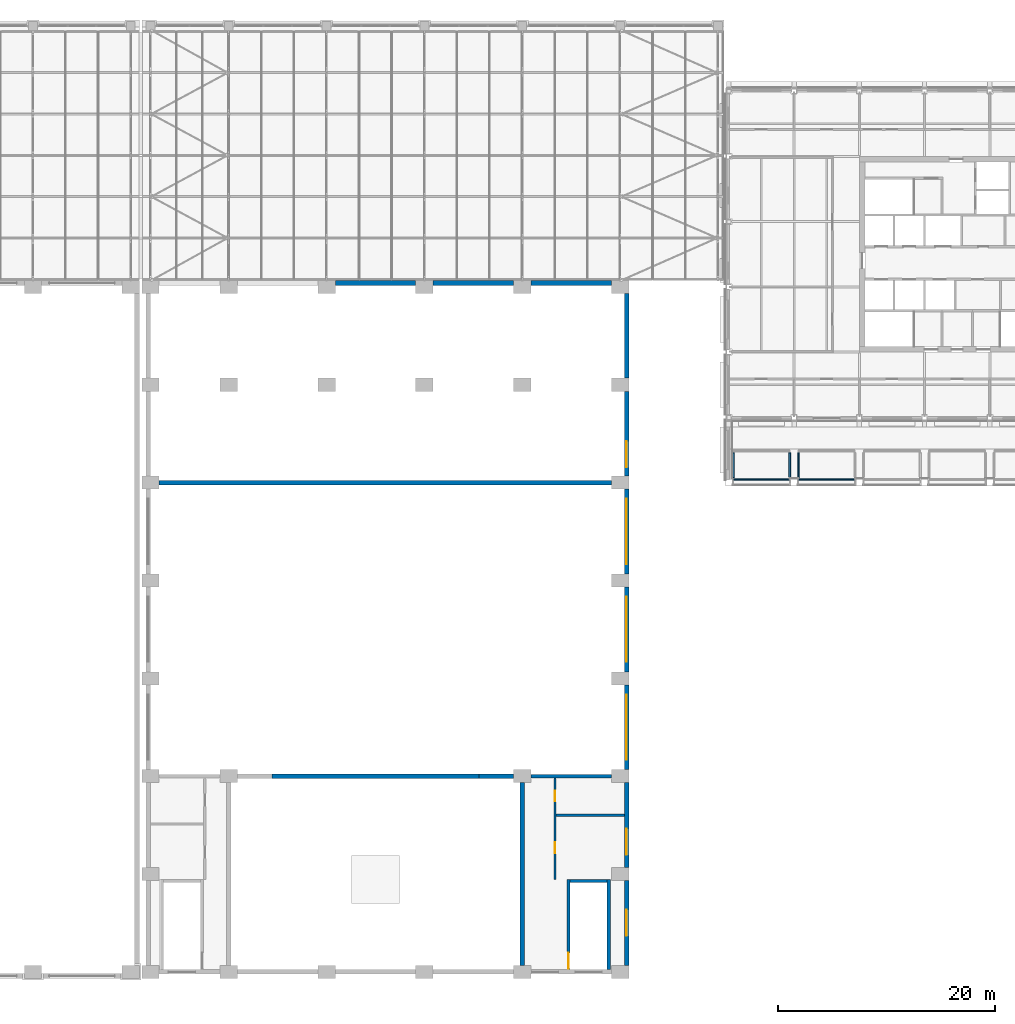
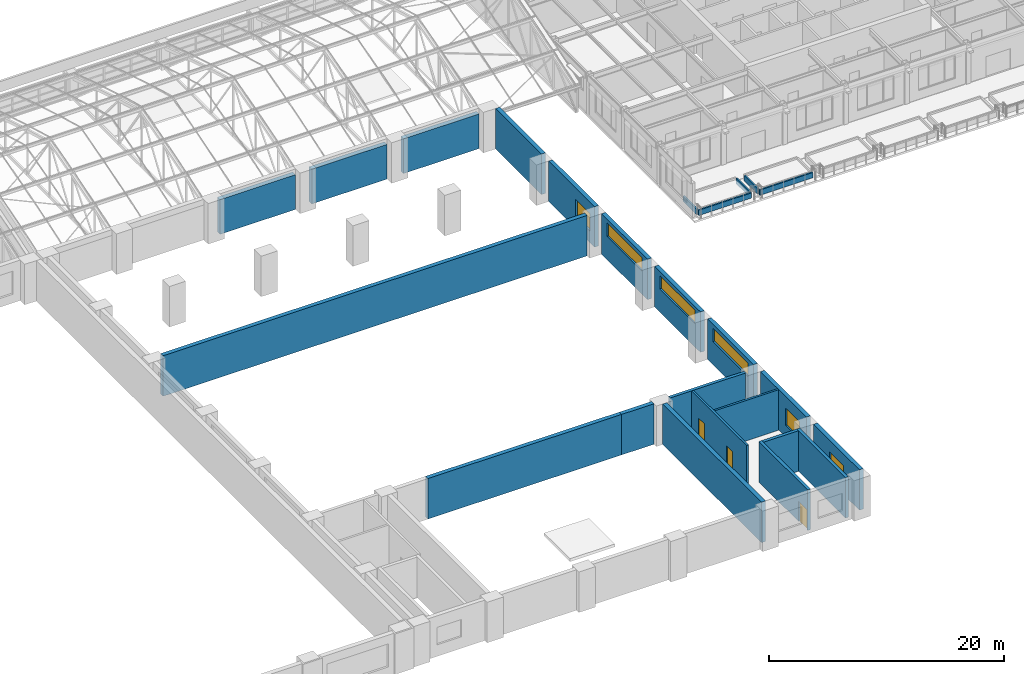
# One storey, part 57 of 82: 25 walls, 6 windows, 3 doors, 9 openings.
"""IFC4 building model written with IfcOpenShell, lengths in metres."""

from ifc_helpers import new_model, si_unit, direction, frame, frame_2d, origin, place, context, subcontext, project, spatial, rectangle, extrude, material, layer, layer_set, type_object, element, fill, save


model = new_model("IFC4")

# Units and contexts
model_context = context("Model", 3, precision=1e-05, world=origin(), true_north=direction((0.0, 1.0)))
body_context = subcontext(model_context, "Body", "Model", "MODEL_VIEW")
ifc_project = project(units=[si_unit("LENGTHUNIT", "METRE"), si_unit("AREAUNIT", "SQUARE_METRE"), si_unit("VOLUMEUNIT", "CUBIC_METRE"), si_unit("PLANEANGLEUNIT", "RADIAN"), si_unit("MASSUNIT", "GRAM", prefix="KILO")], contexts=[model_context])

# Site, building, storey
site_placement = place(None, origin())
site = spatial("IfcSite", under=ifc_project, at=site_placement, CompositionType="ELEMENT")
building_placement = place(site_placement, origin())
building = spatial("IfcBuilding", under=site, at=building_placement, Name="Aravalli Gate Trade Fair Centre", CompositionType="ELEMENT")
storey_placement = place(building_placement, frame((0.0, 0.0, 19.199951171875)))
storey = spatial("IfcBuildingStorey", under=building, at=storey_placement, Name="L04", CompositionType="ELEMENT", Elevation=19.199951171875)

# Wall
ifc_material_1 = material(Name="Concrete M40", Category="concrete")
ifc_layer_1 = layer(ifc_material_1, 0.300048828125)
ifc_layer_set_1 = layer_set([ifc_layer_1], Name="Concrete M40")
wall_type_1 = type_object("IfcWallType", Name="Congress RC wall 300", PredefinedType="SHEAR", material=ifc_layer_set_1)
wall_1_placement = place(storey_placement, frame((141.800048828125, 64.0, 0.0), z_axis=(0.0, 0.0, 1.0), x_axis=(1.0, 0.0, 0.0)))
element("IfcWall", 1, at=wall_1_placement, inside=storey, type_object=wall_type_1, Name="Stage wing north wall E L04", PredefinedType="SHEAR", context=body_context, shape_type="SweptSolid", body=[
    extrude(rectangle(XDim=7.39990234375, YDim=0.300048828125, at=frame_2d((3.699951171875, 0.0))), origin(), (0.0, 0.0, 1.0), 4.199951171875),
])

# Wall, opening, door
wall_2_placement = place(storey_placement, frame((145.25, 46.199951171875, 0.0), z_axis=(0.0, 0.0, 1.0), x_axis=(0.0, 1.0, 0.0)))
wall_2 = element("IfcWall", 2, at=wall_2_placement, inside=storey, type_object=wall_type_1, Name="Stage Stair East wall W L04", PredefinedType="SHEAR", context=body_context, shape_type="SweptSolid", body=[
    extrude(rectangle(XDim=8.300048828125, YDim=0.300048828125, at=frame_2d((4.14990234375, 0.0))), origin(), (0.0, 0.0, 1.0), 4.199951171875),
])
opening_1_placement = place(wall_2_placement, frame((0.0849609375, 0.0, 0.0)))
opening_1 = element("IfcOpeningElement", 3, at=opening_1_placement, cuts=wall_2, Name="Opening G-L04-02", PredefinedType="OPENING", context=body_context, shape_type="SweptSolid", body=[
    extrude(rectangle(XDim=1.449951171875, YDim=2.10009765625, at=frame_2d((0.72509765625, 1.050048828125))), frame((0.0, 0.159912109375, 0.0), z_axis=(0.0, -1.0, 0.0), x_axis=(1.0, 0.0, 0.0)), (0.0, 0.0, 1.0), 0.320068359375),
])
ifc_material_2 = material(Name="Steel, fire rated", Category="steel")
door_type_1 = type_object("IfcDoorType", Name="Congress fire door FD120 1450 x 2100", OperationType="SINGLE_SWING_LEFT", PredefinedType="DOOR", material=ifc_material_2)
door_1_placement = place(opening_1_placement, frame((1.449951171875, 0.0, 0.0), z_axis=(0.0, 0.0, 1.0), x_axis=(-1.0, 0.0, 0.0)))
door_1 = element("IfcDoor", 4, at=door_1_placement, inside=storey, type_object=door_type_1, Name="Stage Stair East door L04", OperationType="SINGLE_SWING_RIGHT", OverallHeight=2.10009765625, OverallWidth=1.449951171875, PredefinedType="DOOR", context=body_context, shape_type="SweptSolid", body=[
    extrude(rectangle(XDim=1.449951171875, YDim=2.10009765625, at=frame_2d((0.72509765625, 1.050048828125))), frame((0.0, 0.02490234375, 0.0), z_axis=(0.0, -1.0, 0.0), x_axis=(1.0, 0.0, 0.0)), (0.0, 0.0, 1.0), 0.050048828125),
])
fill(opening_1, door_1)

# Walls
wall_3_placement = place(storey_placement, frame((148.949951171875, 46.199951171875, 0.0), z_axis=(0.0, 0.0, 1.0), x_axis=(0.0, 1.0, 0.0)))
element("IfcWall", 5, at=wall_3_placement, inside=storey, type_object=wall_type_1, Name="Stage Stair East wall E L04", PredefinedType="SHEAR", context=body_context, shape_type="SweptSolid", body=[
    extrude(rectangle(XDim=8.300048828125, YDim=0.300048828125, at=frame_2d((4.14990234375, 0.0))), origin(), (0.0, 0.0, 1.0), 4.199951171875),
])
wall_4_placement = place(storey_placement, frame((145.39990234375, 54.35009765625, 0.0), z_axis=(0.0, 0.0, 1.0), x_axis=(1.0, 0.0, 0.0)))
element("IfcWall", 6, at=wall_4_placement, inside=storey, type_object=wall_type_1, Name="Stage Stair East wall N L04", PredefinedType="SHEAR", context=body_context, shape_type="SweptSolid", body=[
    extrude(rectangle(XDim=3.400146484375, YDim=0.300048828125, at=frame_2d((1.7001953125, 0.0))), origin(), (0.0, 0.0, 1.0), 4.199951171875),
])
ifc_layer_2 = layer(ifc_material_1, 0.39990234375)
ifc_layer_set_2 = layer_set([ifc_layer_2], Name="Concrete M40")
wall_type_2 = type_object("IfcWallType", Name="Congress RC wall 400", PredefinedType="SHEAR", material=ifc_layer_set_2)
wall_5_placement = place(storey_placement, frame((107.60009765625, 91.0, 0.0), z_axis=(0.0, 0.0, 1.0), x_axis=(1.0, 0.0, 0.0)))
element("IfcWall", 7, at=wall_5_placement, inside=storey, type_object=wall_type_2, Name="Auditorium rear wall L04", PredefinedType="SHEAR", context=body_context, shape_type="SweptSolid", body=[
    extrude(rectangle(XDim=41.599853515625, YDim=0.39990234375, at=frame_2d((20.7998046875, 0.0))), origin(), (0.0, 0.0, 1.0), 4.199951171875),
])
wall_6_placement = place(storey_placement, frame((141.0, 46.60009765625, 0.0), z_axis=(0.0, 0.0, 1.0), x_axis=(0.0, 1.0, 0.0)))
element("IfcWall", 8, at=wall_6_placement, inside=storey, type_object=wall_type_2, Name="Stage house wall line 141 L04", PredefinedType="SHEAR", context=body_context, shape_type="SweptSolid", body=[
    extrude(rectangle(XDim=16.7998046875, YDim=0.39990234375, at=frame_2d((8.39990234375, 0.0))), origin(), (0.0, 0.0, 1.0), 4.199951171875),
])
wall_7_placement = place(storey_placement, frame((137.0, 64.0, 0.0), z_axis=(0.0, 0.0, 1.0), x_axis=(1.0, 0.0, 0.0)))
element("IfcWall", 9, at=wall_7_placement, inside=storey, type_object=wall_type_2, Name="Proscenium wall E L04", PredefinedType="SHEAR", context=body_context, shape_type="SweptSolid", body=[
    extrude(rectangle(XDim=3.199951171875, YDim=0.39990234375, at=frame_2d((1.60009765625, 0.0))), origin(), (0.0, 0.0, 1.0), 4.199951171875),
])
wall_8_placement = place(storey_placement, frame((118.0, 64.0, 0.0), z_axis=(0.0, 0.0, 1.0), x_axis=(1.0, 0.0, 0.0)))
element("IfcWall", 10, at=wall_8_placement, inside=storey, type_object=wall_type_2, Name="Proscenium wall above the opening L04", PredefinedType="SHEAR", context=body_context, shape_type="SweptSolid", body=[
    extrude(rectangle(XDim=19.0, YDim=0.39990234375, at=frame_2d((9.5, 0.0))), origin(), (0.0, 0.0, 1.0), 4.199951171875),
])

# Wall, opening, window
ifc_layer_3 = layer(ifc_material_1, 0.25, Name="Structural wall")
ifc_material_3 = material(Name="Ventilated air cavity")
ifc_layer_4 = layer(ifc_material_3, 0.050048828125, ventilated=True, Name="Ventilated cavity")
ifc_material_4 = material(Name="Terracotta rainscreen", Category="masonry")
ifc_layer_5 = layer(ifc_material_4, 0.10009765625, Name="Rainscreen cladding")
ifc_layer_set_3 = layer_set([ifc_layer_3, ifc_layer_4, ifc_layer_5], Name="Congress external wall 400")
wall_type_3 = type_object("IfcWallType", Name="Congress external wall 400", PredefinedType="SOLIDWALL", material=ifc_layer_set_3)
wall_9_placement = place(storey_placement, frame((150.60009765625, 46.60009765625, 0.0), z_axis=(0.0, 0.0, 1.0), x_axis=(0.0, 1.0, 0.0)))
wall_9 = element("IfcWall", 11, at=wall_9_placement, inside=storey, type_object=wall_type_3, Name="East wall L04 bay 1", PredefinedType="SOLIDWALL", context=body_context, shape_type="SweptSolid", body=[
    extrude(rectangle(XDim=7.7998046875, YDim=0.39990234375, at=frame_2d((3.89990234375, 0.0))), origin(), (0.0, 0.0, 1.0), 4.199951171875),
])
opening_2_placement = place(wall_9_placement, frame((2.699951171875, 0.0, 1.199951171875)))
opening_2 = element("IfcOpeningElement", 12, at=opening_2_placement, cuts=wall_9, Name="Opening GWN4", PredefinedType="OPENING", context=body_context, shape_type="SweptSolid", body=[
    extrude(rectangle(XDim=2.39990234375, YDim=1.800048828125, at=frame_2d((1.199951171875, 0.89990234375))), frame((0.0, 0.2099609375, 0.0), z_axis=(0.0, -1.0, 0.0), x_axis=(1.0, 0.0, 0.0)), (0.0, 0.0, 1.0), 0.419921875),
])
ifc_material_5 = material(Name="Aluminium and glass", Category="aluminium")
window_type_1 = type_object("IfcWindowType", Name="Congress wing window 2400 x 1800", PartitioningType="DOUBLE_PANEL_VERTICAL", PredefinedType="WINDOW", material=ifc_material_5)
window_1_placement = place(opening_2_placement, origin())
window_1 = element("IfcWindow", 13, at=window_1_placement, inside=storey, type_object=window_type_1, Name="East window L04 bay 1", OverallHeight=1.800048828125, OverallWidth=2.39990234375, PartitioningType="SINGLE_PANEL", PredefinedType="WINDOW", context=body_context, shape_type="SweptSolid", body=[
    extrude(rectangle(XDim=2.39990234375, YDim=1.800048828125, at=frame_2d((1.199951171875, 0.89990234375))), frame((0.0, 0.030029296875, 0.0), z_axis=(0.0, -1.0, 0.0), x_axis=(1.0, 0.0, 0.0)), (0.0, 0.0, 1.0), 0.06005859375),
])
fill(opening_2, window_1)

wall_10_placement = place(storey_placement, frame((150.60009765625, 55.60009765625, 0.0), z_axis=(0.0, 0.0, 1.0), x_axis=(0.0, 1.0, 0.0)))
wall_10 = element("IfcWall", 14, at=wall_10_placement, inside=storey, type_object=wall_type_3, Name="East wall L04 bay 2", PredefinedType="SOLIDWALL", context=body_context, shape_type="SweptSolid", body=[
    extrude(rectangle(XDim=7.7998046875, YDim=0.39990234375, at=frame_2d((3.89990234375, 0.0))), origin(), (0.0, 0.0, 1.0), 4.199951171875),
])
opening_3_placement = place(wall_10_placement, frame((1.14990234375, 0.0, 1.199951171875)))
opening_3 = element("IfcOpeningElement", 15, at=opening_3_placement, cuts=wall_10, Name="Opening GWN4", PredefinedType="OPENING", context=body_context, shape_type="SweptSolid", body=[
    extrude(rectangle(XDim=2.39990234375, YDim=1.800048828125, at=frame_2d((1.199951171875, 0.89990234375))), frame((0.0, 0.2099609375, 0.0), z_axis=(0.0, -1.0, 0.0), x_axis=(1.0, 0.0, 0.0)), (0.0, 0.0, 1.0), 0.419921875),
])
window_2_placement = place(opening_3_placement, origin())
window_2 = element("IfcWindow", 16, at=window_2_placement, inside=storey, type_object=window_type_1, Name="East window L04 bay 2", OverallHeight=1.800048828125, OverallWidth=2.39990234375, PartitioningType="SINGLE_PANEL", PredefinedType="WINDOW", context=body_context, shape_type="SweptSolid", body=[
    extrude(rectangle(XDim=2.39990234375, YDim=1.800048828125, at=frame_2d((1.199951171875, 0.89990234375))), frame((0.0, 0.030029296875, 0.0), z_axis=(0.0, -1.0, 0.0), x_axis=(1.0, 0.0, 0.0)), (0.0, 0.0, 1.0), 0.06005859375),
])
fill(opening_3, window_2)

wall_11_placement = place(storey_placement, frame((150.60009765625, 64.60009765625, 0.0), z_axis=(0.0, 0.0, 1.0), x_axis=(0.0, 1.0, 0.0)))
wall_11 = element("IfcWall", 17, at=wall_11_placement, inside=storey, type_object=wall_type_3, Name="East wall L04 bay 3", PredefinedType="SOLIDWALL", context=body_context, shape_type="SweptSolid", body=[
    extrude(rectangle(XDim=7.7998046875, YDim=0.39990234375, at=frame_2d((3.89990234375, 0.0))), origin(), (0.0, 0.0, 1.0), 4.199951171875),
])
opening_4_placement = place(wall_11_placement, frame((0.89990234375, 0.0, 2.39990234375)))
opening_4 = element("IfcOpeningElement", 18, at=opening_4_placement, cuts=wall_11, Name="Opening GWN2", PredefinedType="OPENING", context=body_context, shape_type="SweptSolid", body=[
    extrude(rectangle(XDim=6.0, YDim=1.39990234375, at=frame_2d((3.0, 0.699951171875))), frame((0.0, 0.2099609375, 0.0), z_axis=(0.0, -1.0, 0.0), x_axis=(1.0, 0.0, 0.0)), (0.0, 0.0, 1.0), 0.419921875),
])
window_type_2 = type_object("IfcWindowType", Name="Congress clerestory window 6000 x 1400", PartitioningType="SINGLE_PANEL", PredefinedType="WINDOW", material=ifc_material_5)
window_3_placement = place(opening_4_placement, origin())
window_3 = element("IfcWindow", 19, at=window_3_placement, inside=storey, type_object=window_type_2, Name="Clerestory E 3", OverallHeight=1.39990234375, OverallWidth=6.0, PartitioningType="SINGLE_PANEL", PredefinedType="WINDOW", context=body_context, shape_type="SweptSolid", body=[
    extrude(rectangle(XDim=6.0, YDim=1.39990234375, at=frame_2d((3.0, 0.699951171875))), frame((0.0, 0.030029296875, 0.0), z_axis=(0.0, -1.0, 0.0), x_axis=(1.0, 0.0, 0.0)), (0.0, 0.0, 1.0), 0.06005859375),
])
fill(opening_4, window_3)

wall_12_placement = place(storey_placement, frame((150.60009765625, 73.60009765625, 0.0), z_axis=(0.0, 0.0, 1.0), x_axis=(0.0, 1.0, 0.0)))
wall_12 = element("IfcWall", 20, at=wall_12_placement, inside=storey, type_object=wall_type_3, Name="East wall L04 bay 4", PredefinedType="SOLIDWALL", context=body_context, shape_type="SweptSolid", body=[
    extrude(rectangle(XDim=7.7998046875, YDim=0.39990234375, at=frame_2d((3.89990234375, 0.0))), origin(), (0.0, 0.0, 1.0), 4.199951171875),
])
opening_5_placement = place(wall_12_placement, frame((0.89990234375, 0.0, 2.39990234375)))
opening_5 = element("IfcOpeningElement", 21, at=opening_5_placement, cuts=wall_12, Name="Opening GWN2", PredefinedType="OPENING", context=body_context, shape_type="SweptSolid", body=[
    extrude(rectangle(XDim=6.0, YDim=1.39990234375, at=frame_2d((3.0, 0.699951171875))), frame((0.0, 0.2099609375, 0.0), z_axis=(0.0, -1.0, 0.0), x_axis=(1.0, 0.0, 0.0)), (0.0, 0.0, 1.0), 0.419921875),
])
window_4_placement = place(opening_5_placement, origin())
window_4 = element("IfcWindow", 22, at=window_4_placement, inside=storey, type_object=window_type_2, Name="Clerestory E 4", OverallHeight=1.39990234375, OverallWidth=6.0, PartitioningType="SINGLE_PANEL", PredefinedType="WINDOW", context=body_context, shape_type="SweptSolid", body=[
    extrude(rectangle(XDim=6.0, YDim=1.39990234375, at=frame_2d((3.0, 0.699951171875))), frame((0.0, 0.030029296875, 0.0), z_axis=(0.0, -1.0, 0.0), x_axis=(1.0, 0.0, 0.0)), (0.0, 0.0, 1.0), 0.06005859375),
])
fill(opening_5, window_4)

wall_13_placement = place(storey_placement, frame((150.60009765625, 82.60009765625, 0.0), z_axis=(0.0, 0.0, 1.0), x_axis=(0.0, 1.0, 0.0)))
wall_13 = element("IfcWall", 23, at=wall_13_placement, inside=storey, type_object=wall_type_3, Name="East wall L04 bay 5", PredefinedType="SOLIDWALL", context=body_context, shape_type="SweptSolid", body=[
    extrude(rectangle(XDim=7.7998046875, YDim=0.39990234375, at=frame_2d((3.89990234375, 0.0))), origin(), (0.0, 0.0, 1.0), 4.199951171875),
])
opening_6_placement = place(wall_13_placement, frame((0.89990234375, 0.0, 2.39990234375)))
opening_6 = element("IfcOpeningElement", 24, at=opening_6_placement, cuts=wall_13, Name="Opening GWN2", PredefinedType="OPENING", context=body_context, shape_type="SweptSolid", body=[
    extrude(rectangle(XDim=6.0, YDim=1.39990234375, at=frame_2d((3.0, 0.699951171875))), frame((0.0, 0.2099609375, 0.0), z_axis=(0.0, -1.0, 0.0), x_axis=(1.0, 0.0, 0.0)), (0.0, 0.0, 1.0), 0.419921875),
])
window_5_placement = place(opening_6_placement, origin())
window_5 = element("IfcWindow", 25, at=window_5_placement, inside=storey, type_object=window_type_2, Name="Clerestory E 5", OverallHeight=1.39990234375, OverallWidth=6.0, PartitioningType="SINGLE_PANEL", PredefinedType="WINDOW", context=body_context, shape_type="SweptSolid", body=[
    extrude(rectangle(XDim=6.0, YDim=1.39990234375, at=frame_2d((3.0, 0.699951171875))), frame((0.0, 0.030029296875, 0.0), z_axis=(0.0, -1.0, 0.0), x_axis=(1.0, 0.0, 0.0)), (0.0, 0.0, 1.0), 0.06005859375),
])
fill(opening_6, window_5)

wall_14_placement = place(storey_placement, frame((150.60009765625, 91.60009765625, 0.0), z_axis=(0.0, 0.0, 1.0), x_axis=(0.0, 1.0, 0.0)))
wall_14 = element("IfcWall", 26, at=wall_14_placement, inside=storey, type_object=wall_type_3, Name="East wall L04 bay 6", PredefinedType="SOLIDWALL", context=body_context, shape_type="SweptSolid", body=[
    extrude(rectangle(XDim=7.7998046875, YDim=0.39990234375, at=frame_2d((3.89990234375, 0.0))), origin(), (0.0, 0.0, 1.0), 4.199951171875),
])
opening_7_placement = place(wall_14_placement, frame((0.800048828125, 0.0, 1.199951171875)))
opening_7 = element("IfcOpeningElement", 27, at=opening_7_placement, cuts=wall_14, Name="Opening GWN4", PredefinedType="OPENING", context=body_context, shape_type="SweptSolid", body=[
    extrude(rectangle(XDim=2.39990234375, YDim=1.800048828125, at=frame_2d((1.199951171875, 0.89990234375))), frame((0.0, 0.2099609375, 0.0), z_axis=(0.0, -1.0, 0.0), x_axis=(1.0, 0.0, 0.0)), (0.0, 0.0, 1.0), 0.419921875),
])
window_6_placement = place(opening_7_placement, origin())
window_6 = element("IfcWindow", 28, at=window_6_placement, inside=storey, type_object=window_type_1, Name="East window L04 bay 6", OverallHeight=1.800048828125, OverallWidth=2.39990234375, PartitioningType="SINGLE_PANEL", PredefinedType="WINDOW", context=body_context, shape_type="SweptSolid", body=[
    extrude(rectangle(XDim=2.39990234375, YDim=1.800048828125, at=frame_2d((1.199951171875, 0.89990234375))), frame((0.0, 0.030029296875, 0.0), z_axis=(0.0, -1.0, 0.0), x_axis=(1.0, 0.0, 0.0)), (0.0, 0.0, 1.0), 0.06005859375),
])
fill(opening_7, window_6)

# Wall
wall_15_placement = place(storey_placement, frame((150.60009765625, 100.60009765625, 0.0), z_axis=(0.0, 0.0, 1.0), x_axis=(0.0, 1.0, 0.0)))
element("IfcWall", 29, at=wall_15_placement, inside=storey, type_object=wall_type_3, Name="East wall L04 bay 7", PredefinedType="SOLIDWALL", context=body_context, shape_type="SweptSolid", body=[
    extrude(rectangle(XDim=7.7998046875, YDim=0.39990234375, at=frame_2d((3.89990234375, 0.0))), origin(), (0.0, 0.0, 1.0), 4.199951171875),
])

# Wall, openings, doors
ifc_material_6 = material(Name="Concrete block masonry", Category="masonry")
ifc_layer_6 = layer(ifc_material_6, 0.199951171875)
ifc_layer_set_4 = layer_set([ifc_layer_6], Name="Concrete block masonry")
wall_type_4 = type_object("IfcWallType", Name="Congress partition 200", PredefinedType="PARTITIONING", material=ifc_layer_set_4)
wall_16_placement = place(storey_placement, frame((144.0, 54.5, 0.0), z_axis=(0.0, 0.0, 1.0), x_axis=(0.0, 1.0, 0.0)))
wall_16 = element("IfcWall", 30, at=wall_16_placement, inside=storey, type_object=wall_type_4, Name="Wing partition E L04", PredefinedType="PARTITIONING", context=body_context, shape_type="SweptSolid", body=[
    extrude(rectangle(XDim=9.35009765625, YDim=0.199951171875, at=frame_2d((4.675048828125, 0.0))), origin(), (0.0, 0.0, 1.0), 4.199951171875),
])
opening_8_placement = place(wall_16_placement, frame((2.39990234375, 0.0, 0.0)))
opening_8 = element("IfcOpeningElement", 31, at=opening_8_placement, cuts=wall_16, Name="Opening G-L04-05", PredefinedType="OPENING", context=body_context, shape_type="SweptSolid", body=[
    extrude(rectangle(XDim=1.0, YDim=2.10009765625, at=frame_2d((0.5, 1.050048828125))), frame((0.0, 0.10986328125, 0.0), z_axis=(0.0, -1.0, 0.0), x_axis=(1.0, 0.0, 0.0)), (0.0, 0.0, 1.0), 0.219970703125),
])
opening_9_placement = place(wall_16_placement, frame((7.175048828125, 0.0, 0.0)))
opening_9 = element("IfcOpeningElement", 32, at=opening_9_placement, cuts=wall_16, Name="Opening G-L04-06", PredefinedType="OPENING", context=body_context, shape_type="SweptSolid", body=[
    extrude(rectangle(XDim=1.0, YDim=2.10009765625, at=frame_2d((0.5, 1.050048828125))), frame((0.0, 0.10986328125, 0.0), z_axis=(0.0, -1.0, 0.0), x_axis=(1.0, 0.0, 0.0)), (0.0, 0.0, 1.0), 0.219970703125),
])
door_type_2 = type_object("IfcDoorType", Name="Congress fire door FD120 1000 x 2100", OperationType="SINGLE_SWING_LEFT", PredefinedType="DOOR", material=ifc_material_2)
door_2_placement = place(opening_8_placement, frame((1.0, 0.0, 0.0), z_axis=(0.0, 0.0, 1.0), x_axis=(-1.0, 0.0, 0.0)))
door_2 = element("IfcDoor", 33, at=door_2_placement, inside=storey, type_object=door_type_2, Name="Wing room door E L04 a", OperationType="SINGLE_SWING_LEFT", OverallHeight=2.10009765625, OverallWidth=1.0, PredefinedType="DOOR", context=body_context, shape_type="SweptSolid", body=[
    extrude(rectangle(XDim=1.0, YDim=2.10009765625, at=frame_2d((0.5, 1.050048828125))), frame((0.0, 0.02490234375, 0.0), z_axis=(0.0, -1.0, 0.0), x_axis=(1.0, 0.0, 0.0)), (0.0, 0.0, 1.0), 0.050048828125),
])
fill(opening_8, door_2)
door_3_placement = place(opening_9_placement, frame((1.0, 0.0, 0.0), z_axis=(0.0, 0.0, 1.0), x_axis=(-1.0, 0.0, 0.0)))
door_3 = element("IfcDoor", 34, at=door_3_placement, inside=storey, type_object=door_type_2, Name="Wing room door E L04 b", OperationType="SINGLE_SWING_LEFT", OverallHeight=2.10009765625, OverallWidth=1.0, PredefinedType="DOOR", context=body_context, shape_type="SweptSolid", body=[
    extrude(rectangle(XDim=1.0, YDim=2.10009765625, at=frame_2d((0.5, 1.050048828125))), frame((0.0, 0.02490234375, 0.0), z_axis=(0.0, -1.0, 0.0), x_axis=(1.0, 0.0, 0.0)), (0.0, 0.0, 1.0), 0.050048828125),
])
fill(opening_9, door_3)

# Walls
wall_17_placement = place(storey_placement, frame((144.10009765625, 60.39990234375, 0.0), z_axis=(0.0, 0.0, 1.0), x_axis=(1.0, 0.0, 0.0)))
element("IfcWall", 35, at=wall_17_placement, inside=storey, type_object=wall_type_4, Name="Wing room partition E L04", PredefinedType="PARTITIONING", context=body_context, shape_type="SweptSolid", body=[
    extrude(rectangle(XDim=6.2998046875, YDim=0.199951171875, at=frame_2d((3.14990234375, 0.0))), origin(), (0.0, 0.0, 1.0), 4.199951171875),
])
ifc_layer_7 = layer(ifc_material_1, 0.449951171875)
ifc_layer_set_5 = layer_set([ifc_layer_7], Name="Concrete M40")
wall_type_5 = type_object("IfcWallType", Name="Congress party wall 450", PredefinedType="SOLIDWALL", material=ifc_layer_set_5)
for number, where, z_axis, x_axis, name in (
    (36, (123.800048828125, 109.375, 0.0), (0.0, 0.0, 1.0), (1.0, 0.0, 0.0), "North wall L04 bay 3"),
    (37, (132.800048828125, 109.375, 0.0), (0.0, 0.0, 1.0), (1.0, 0.0, 0.0), "North wall L04 bay 4"),
    (38, (141.800048828125, 109.375, 0.0), (0.0, 0.0, 1.0), (1.0, 0.0, 0.0), "North wall L04 bay 5"),
):
    element("IfcWall", number, at=place(storey_placement, frame(where, z_axis=z_axis, x_axis=x_axis)), inside=storey, type_object=wall_type_5, Name=name, PredefinedType="SOLIDWALL", context=body_context, shape_type="SweptSolid", body=[
        extrude(rectangle(XDim=7.39990234375, YDim=0.449951171875, at=frame_2d((3.699951171875, 0.0))), origin(), (0.0, 0.0, 1.0), 3.60009765625),
    ])
ifc_material_7 = material(Name="Concrete M30", Category="concrete")
ifc_layer_8 = layer(ifc_material_7, 0.14990234375)
ifc_layer_set_6 = layer_set([ifc_layer_8], Name="Concrete M30")
wall_type_6 = type_object("IfcWallType", Name="Wing planter wall 150", PredefinedType="SOLIDWALL", material=ifc_layer_set_6)
wall_18_placement = place(storey_placement, frame((160.39990234375, 91.294921875, 0.0), z_axis=(0.0, 0.0, 1.0), x_axis=(1.0, 0.0, 0.0)))
element("IfcWall", 39, at=wall_18_placement, inside=storey, type_object=wall_type_6, Name="Planter wall L04 1S", PredefinedType="SOLIDWALL", context=body_context, shape_type="SweptSolid", body=[
    extrude(rectangle(XDim=5.2001953125, YDim=0.14990234375, at=frame_2d((2.60009765625, 0.0))), origin(), (0.0, 0.0, 1.0), 0.550048828125),
])
for number, where, z_axis, x_axis, name in (
    (40, (160.39990234375, 91.445068359375, 0.0), (0.0, 0.0, 1.0), (0.0, 1.0, 0.0), "Planter wall L04 1W"),
    (41, (165.60009765625, 91.445068359375, 0.0), (0.0, 0.0, 1.0), (0.0, 1.0, 0.0), "Planter wall L04 1E"),
):
    element("IfcWall", number, at=place(storey_placement, frame(where, z_axis=z_axis, x_axis=x_axis)), inside=storey, type_object=wall_type_6, Name=name, PredefinedType="SOLIDWALL", context=body_context, shape_type="SweptSolid", body=[
        extrude(rectangle(XDim=2.300048828125, YDim=0.14990234375, at=frame_2d((1.14990234375, 0.0))), origin(), (0.0, 0.0, 1.0), 0.550048828125),
    ])
wall_19_placement = place(storey_placement, frame((166.39990234375, 91.294921875, 0.0), z_axis=(0.0, 0.0, 1.0), x_axis=(1.0, 0.0, 0.0)))
element("IfcWall", 42, at=wall_19_placement, inside=storey, type_object=wall_type_6, Name="Planter wall L04 2S", PredefinedType="SOLIDWALL", context=body_context, shape_type="SweptSolid", body=[
    extrude(rectangle(XDim=5.2001953125, YDim=0.14990234375, at=frame_2d((2.60009765625, 0.0))), origin(), (0.0, 0.0, 1.0), 0.550048828125),
])
wall_20_placement = place(storey_placement, frame((166.39990234375, 91.445068359375, 0.0), z_axis=(0.0, 0.0, 1.0), x_axis=(0.0, 1.0, 0.0)))
element("IfcWall", 43, at=wall_20_placement, inside=storey, type_object=wall_type_6, Name="Planter wall L04 2W", PredefinedType="SOLIDWALL", context=body_context, shape_type="SweptSolid", body=[
    extrude(rectangle(XDim=2.300048828125, YDim=0.14990234375, at=frame_2d((1.14990234375, 0.0))), origin(), (0.0, 0.0, 1.0), 0.550048828125),
])

save(model, "model.ifc")
